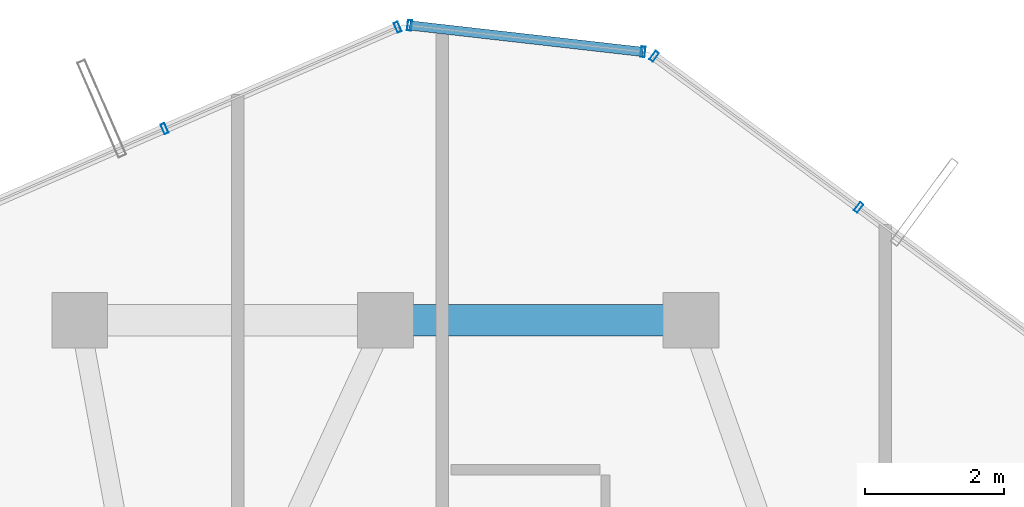
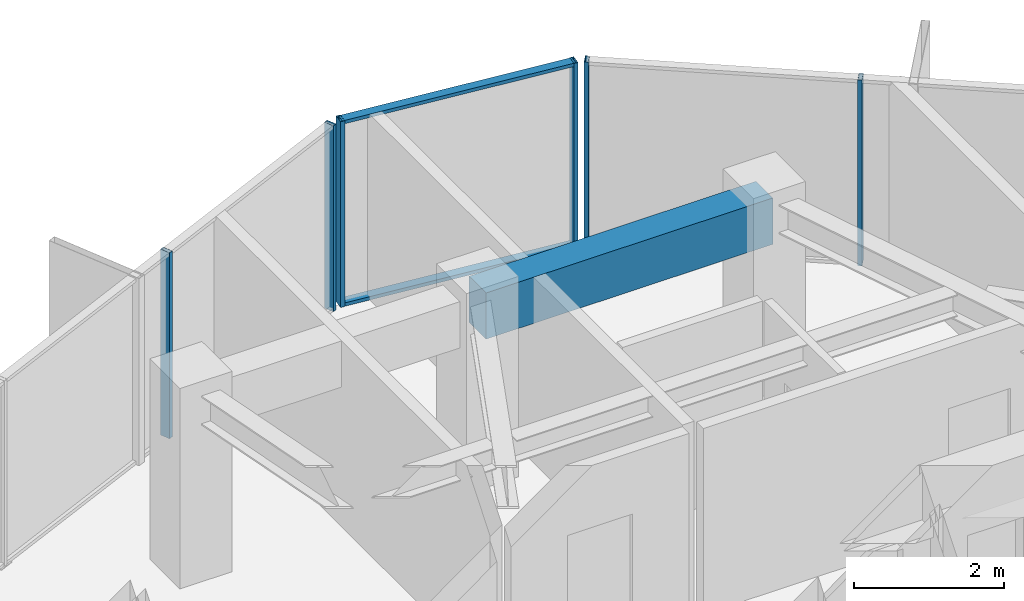
# One storey, part 24 of 30: 8 members, 1 beam, 3 elements without a shape of their own.
"""IFC4 building model written with IfcOpenShell, lengths in metres."""

from ifc_helpers import new_model, si_unit, direction, frame, origin, origin_2d, place, context, subcontext, project, spatial, rectangle, hollow_rectangle, extrude, source, transform, mapped, material, layer, layer_set, material_profile, profile_set, type_object, element, aggregate, save


model = new_model("IFC4")

# Units and contexts
model_context = context("Model", 3, precision=1e-05, world=origin(), true_north=direction((0.0, 1.0)))
body_context = subcontext(model_context, "Body", "Model", "MODEL_VIEW")
ifc_project = project(units=[si_unit("LENGTHUNIT", "METRE"), si_unit("AREAUNIT", "SQUARE_METRE"), si_unit("VOLUMEUNIT", "CUBIC_METRE"), si_unit("PLANEANGLEUNIT", "RADIAN"), si_unit("MASSUNIT", "GRAM", prefix="KILO")], contexts=[model_context])

# Site, building, storey
site_placement = place(None, origin())
site = spatial("IfcSite", under=ifc_project, at=site_placement, CompositionType="ELEMENT")
building_placement = place(site_placement, origin())
building = spatial("IfcBuilding", under=site, at=building_placement, Name="Veraguas Prism Commons", CompositionType="ELEMENT")
storey_placement = place(building_placement, frame((0.0, 0.0, 230.050048828125)))
storey = spatial("IfcBuildingStorey", under=building, at=storey_placement, Name="L65", CompositionType="ELEMENT", Elevation=230.050048828125)

# Beam
ifc_material_1 = material(Name="Concrete C50/60", Category="concrete")
ifc_material_profile_1 = material_profile(ifc_material_1, rectangle(XDim=0.449951171875, YDim=0.75, at=origin_2d()), Name="RC450X750")
ifc_profile_set_1 = profile_set([ifc_material_profile_1], Name="Concrete C50/60")
beam_type = type_object("IfcBeamType", Name="Perimeter Spandrel Upper RC 450x750", PredefinedType="SPANDREL", material=ifc_profile_set_1)
beam_placement = place(storey_placement, frame((28.39990234375, 37.800048828125, 2.639892578125), z_axis=(-1.0, 0.0, 0.0), x_axis=(0.0, -1.0, 0.0)))
element("IfcBeam", 1, at=beam_placement, inside=storey, type_object=beam_type, Name="Perimeter Spandrel Beam L65-SP04", PredefinedType="SPANDREL", context=body_context, shape_type="SweptSolid", body=[
    extrude(rectangle(XDim=0.449951171875, YDim=0.75, at=origin_2d()), origin(), (0.0, 0.0, 1.0), 4.39990234375),
])

# Curtain wall, members
ifc_material_2 = material(Name="Anodised aluminium EN AW-6063 T6", Category="aluminium")
ifc_layer = layer(ifc_material_2, 0.14990234375, Name="Unitised Flush Curtain Wall Zone 4", Category="aluminium")
ifc_layer_set = layer_set([ifc_layer], Name="Anodised aluminium EN AW-6063 T6")
curtain_wall_type = type_object("IfcCurtainWallType", Name="Unitised Flush Curtain Wall Zone 4", PredefinedType="NOTDEFINED", material=ifc_layer_set)
curtain_wall_1_placement = place(storey_placement, origin())
curtain_wall_1 = element("IfcCurtainWall", 2, at=curtain_wall_1_placement, inside=storey, type_object=curtain_wall_type, Name="Tower Facade Curtain Wall L65-F1", PredefinedType="NOTDEFINED")
ifc_material_profile_2 = material_profile(ifc_material_2, hollow_rectangle(XDim=0.06005859375, YDim=0.14990234375, WallThickness=0.0029296875, at=origin_2d()), Name="AL60X150X3")
ifc_profile_set_2 = profile_set([ifc_material_profile_2], Name="Anodised aluminium EN AW-6063 T6")
member_type_1 = type_object("IfcMemberType", Name="Curtain Wall Mullion Upper AL 60x150x3", PredefinedType="MULLION", material=ifc_profile_set_2)
shared_shape_1 = source(origin(), body_context, "Body", "SweptSolid", [
    extrude(hollow_rectangle(XDim=0.06005859375, YDim=0.14990234375, WallThickness=0.0029296875, at=origin_2d()), origin(), (0.0, 0.0, 1.0), 3.014892578125),
])
member_1_placement = place(storey_placement, frame((30.814697265625, 39.42529296875, 0.0), z_axis=(0.0, 0.0, 1.0), x_axis=(-0.804067556966, 0.59453794146, 0.0)))
member_1 = element("IfcMember", 3, at=member_1_placement, type_object=member_type_1, Name="CW-Z4 Mullion 4", PredefinedType="MULLION", context=body_context, shape_type="MappedRepresentation", body=[
    mapped(shared_shape_1, transform((0.0, 0.0, 0.0), scale=1.0)),
])
member_2_placement = place(storey_placement, frame((27.870361328125, 41.602294921875, 0.0), z_axis=(0.0, 0.0, 1.0), x_axis=(-0.804067556966, 0.59453794146, 0.0)))
member_2 = element("IfcMember", 4, at=member_2_placement, type_object=member_type_1, Name="CW-Z4 Mullion 5", PredefinedType="MULLION", context=body_context, shape_type="MappedRepresentation", body=[
    mapped(shared_shape_1, transform((0.0, 0.0, 0.0), scale=1.0)),
])
aggregate(curtain_wall_1, [member_1, member_2])

curtain_wall_2_placement = place(storey_placement, origin())
curtain_wall_2 = element("IfcCurtainWall", 5, at=curtain_wall_2_placement, inside=storey, type_object=curtain_wall_type, Name="Tower Facade Curtain Wall L65-F2", PredefinedType="NOTDEFINED")
member_3_placement = place(storey_placement, frame((24.17578125, 42.02197265625, 0.0), z_axis=(0.0, 0.0, 1.0), x_axis=(-0.916918739301, -0.399073959961, 0.0)))
member_3 = element("IfcMember", 6, at=member_3_placement, type_object=member_type_1, Name="CW-Z4 Mullion 1", PredefinedType="MULLION", context=body_context, shape_type="MappedRepresentation", body=[
    mapped(shared_shape_1, transform((0.0, 0.0, 0.0), scale=1.0)),
])
member_4_placement = place(storey_placement, frame((20.818359375, 40.560791015625, 0.0), z_axis=(0.0, 0.0, 1.0), x_axis=(-0.916918739301, -0.399073959961, 0.0)))
member_4 = element("IfcMember", 7, at=member_4_placement, type_object=member_type_1, Name="CW-Z4 Mullion 2", PredefinedType="MULLION", context=body_context, shape_type="MappedRepresentation", body=[
    mapped(shared_shape_1, transform((0.0, 0.0, 0.0), scale=1.0)),
])
aggregate(curtain_wall_2, [member_3, member_4])

curtain_wall_3_placement = place(storey_placement, origin())
curtain_wall_3 = element("IfcCurtainWall", 8, at=curtain_wall_3_placement, inside=storey, type_object=curtain_wall_type, Name="Chamfer Curtain Wall L65-C2", PredefinedType="NOTDEFINED")
member_5_placement = place(storey_placement, frame((27.708740234375, 41.666015625, 0.0), z_axis=(0.0, 0.0, 1.0), x_axis=(-0.993615249346, 0.112821701227, 0.0)))
member_5 = element("IfcMember", 9, at=member_5_placement, type_object=member_type_1, Name="CW-Z4 Mullion 1", PredefinedType="MULLION", context=body_context, shape_type="MappedRepresentation", body=[
    mapped(shared_shape_1, transform((0.0, 0.0, 0.0), scale=1.0)),
])
member_6_placement = place(storey_placement, frame((24.34765625, 42.047607421875, 0.0), z_axis=(0.0, 0.0, 1.0), x_axis=(-0.993615249346, 0.112821701227, 0.0)))
member_6 = element("IfcMember", 10, at=member_6_placement, type_object=member_type_1, Name="CW-Z4 Mullion 2", PredefinedType="MULLION", context=body_context, shape_type="MappedRepresentation", body=[
    mapped(shared_shape_1, transform((0.0, 0.0, 0.0), scale=1.0)),
])
ifc_material_profile_3 = material_profile(ifc_material_2, hollow_rectangle(XDim=0.054931640625, YDim=0.135009765625, WallThickness=0.0029296875, at=origin_2d()), Name="AL55X135X3")
ifc_profile_set_3 = profile_set([ifc_material_profile_3], Name="Anodised aluminium EN AW-6063 T6")
member_type_2 = type_object("IfcMemberType", Name="Curtain Wall Transom Standard AL 55x135x3", PredefinedType="USERDEFINED", material=ifc_profile_set_3)
shared_shape_2 = source(origin(), body_context, "Body", "SweptSolid", [
    extrude(hollow_rectangle(XDim=0.054931640625, YDim=0.135009765625, WallThickness=0.0029296875, at=origin_2d()), origin(), (0.0, 0.0, 1.0), 3.382568359375),
])
member_7_placement = place(storey_placement, frame((27.708740234375, 41.666015625, 0.02734375), z_axis=(-0.993616842999, 0.112807665113, 0.0), x_axis=(0.0, 0.0, 1.0)))
member_7 = element("IfcMember", 11, at=member_7_placement, type_object=member_type_2, Name="CW-Z4 Transom 1", ObjectType="TRANSOM", PredefinedType="USERDEFINED", context=body_context, shape_type="MappedRepresentation", body=[
    mapped(shared_shape_2, transform((0.0, 0.0, 0.0), scale=1.0)),
])
member_8_placement = place(storey_placement, frame((27.708740234375, 41.666015625, 2.987548828125), z_axis=(-0.993616842999, 0.112807665113, 0.0), x_axis=(0.0, 0.0, 1.0)))
member_8 = element("IfcMember", 12, at=member_8_placement, type_object=member_type_2, Name="CW-Z4 Transom 2", ObjectType="TRANSOM", PredefinedType="USERDEFINED", context=body_context, shape_type="MappedRepresentation", body=[
    mapped(shared_shape_2, transform((0.0, 0.0, 0.0), scale=1.0)),
])
aggregate(curtain_wall_3, [member_5, member_6, member_7, member_8])

save(model, "model.ifc")
